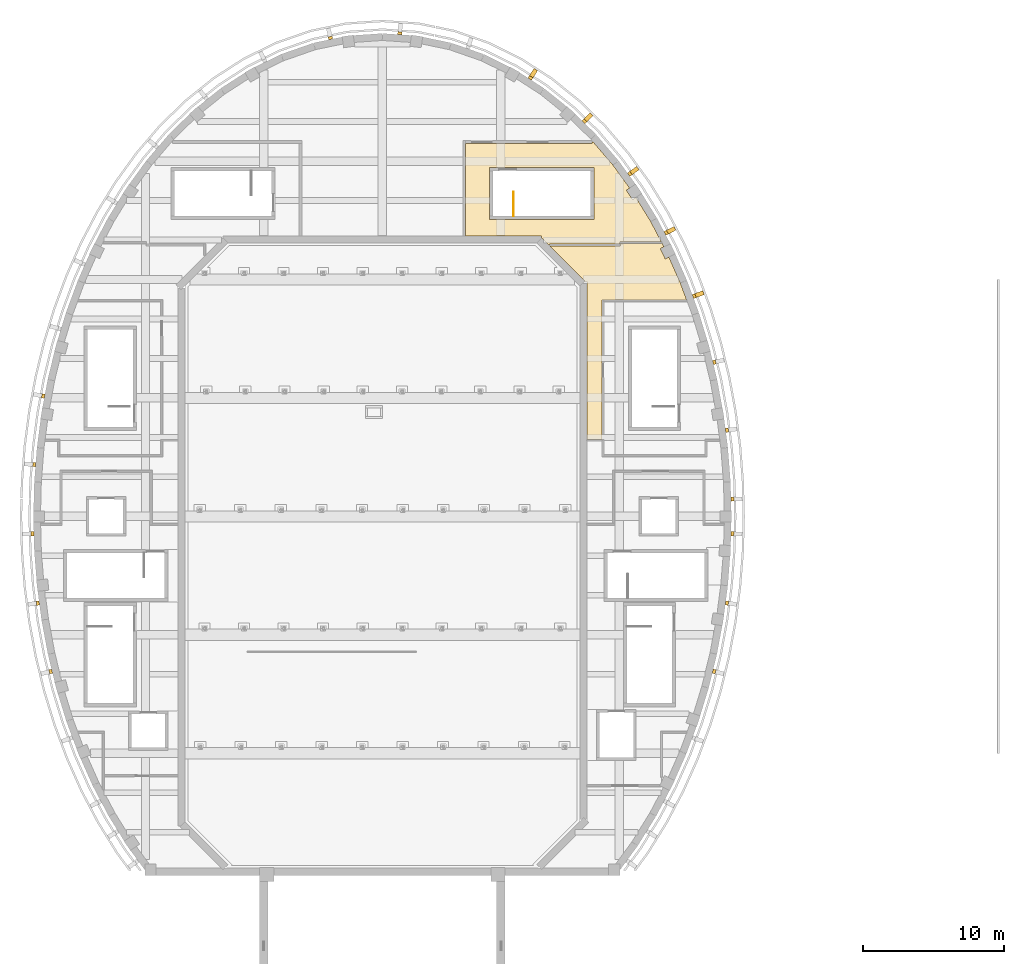
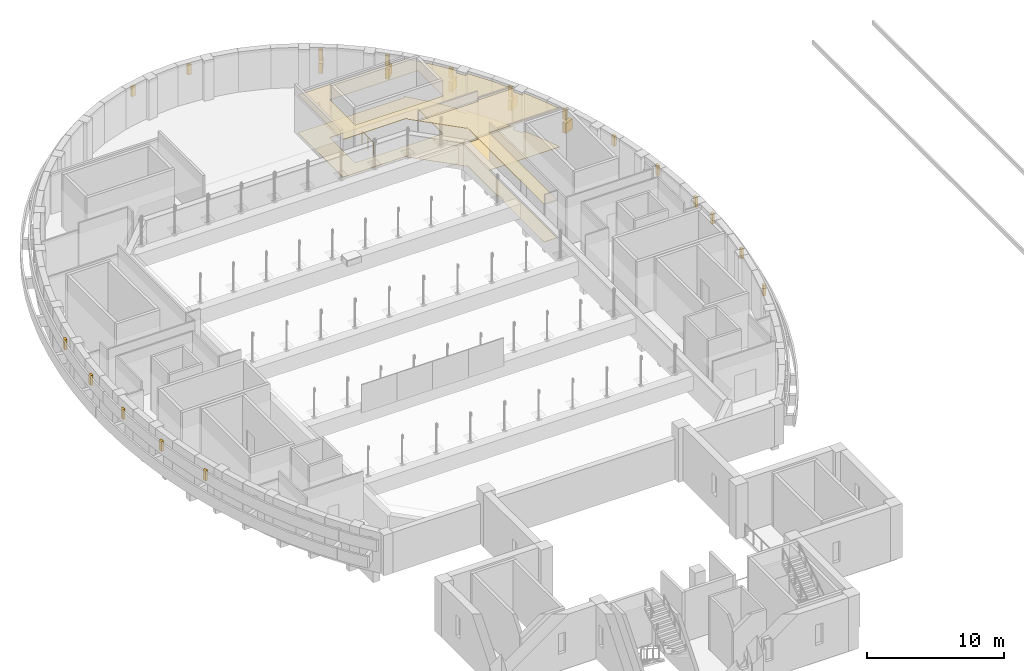
# One storey, part 47 of 47: 27 coverings, 1 railing.
"""IFC4 building model written with IfcOpenShell, lengths in metres."""

from ifc_helpers import new_model, si_unit, direction, frame, origin, origin_2d, place, context, subcontext, project, spatial, polyline, rectangle, circle, outline, extrude, material, layer, layer_set, type_object, element, save


model = new_model("IFC4")

# Units and contexts
model_context = context("Model", 3, precision=1e-05, world=origin(), true_north=direction((0.0, 1.0)))
body_context = subcontext(model_context, "Body", "Model", "MODEL_VIEW")
ifc_project = project(units=[si_unit("LENGTHUNIT", "METRE"), si_unit("AREAUNIT", "SQUARE_METRE"), si_unit("VOLUMEUNIT", "CUBIC_METRE"), si_unit("PLANEANGLEUNIT", "RADIAN"), si_unit("MASSUNIT", "GRAM", prefix="KILO")], contexts=[model_context])

# Site, building, storey
site_placement = place(None, origin())
site = spatial("IfcSite", under=ifc_project, at=site_placement, CompositionType="ELEMENT")
building_placement = place(site_placement, origin())
building = spatial("IfcBuilding", under=site, at=building_placement, Name="Larchfold Concert Hall", CompositionType="ELEMENT")
storey_placement = place(building_placement, frame((0.0, 0.0, 24.0)))
storey = spatial("IfcBuildingStorey", under=building, at=storey_placement, Name="L05", CompositionType="ELEMENT", Elevation=24.0)

# Coverings
ifc_material_1 = material(Name="Plasterboard ceiling lining")
ifc_layer_1 = layer(ifc_material_1, 0.030029296875)
ifc_layer_set_1 = layer_set([ifc_layer_1], Name="Plasterboard ceiling lining")
covering_type_1 = type_object("IfcCoveringType", Name="Ceiling suspended plasterboard 30", PredefinedType="CEILING", material=ifc_layer_set_1)
covering_1_placement = place(storey_placement, frame((0.0, 0.0, 3.3701171875)))
element("IfcCovering", 1, at=covering_1_placement, inside=storey, type_object=covering_type_1, Name="Ceiling Followspot Room", PredefinedType="CEILING", context=body_context, shape_type="SweptSolid", body=[
    extrude(outline(polyline([(57.10009765625, 90.050048828125), (58.18505859375, 90.050048828125), (58.1884765625, 90.000732421875), (58.1884765625, 90.02001953125), (58.250244140625, 90.02001953125), (58.1884765625, 90.02099609375), (58.1884765625, 99.96142578125), (64.171142578125, 99.96142578125), (63.732177734375, 101.149169921875), (62.9169921875, 102.994873046875), (62.658203125, 102.870361328125), (62.3115234375, 103.591552734375), (62.56982421875, 103.715576171875), (62.42138671875, 104.0), (62.39599609375, 104.0), (62.39599609375, 103.9375), (59.46240234375, 103.9375), (59.46240234375, 104.0), (59.400146484375, 104.0), (59.400146484375, 103.91259765625), (59.46240234375, 103.91259765625), (59.46240234375, 103.78759765625), (54.466064453125, 103.78759765625), (56.9541015625, 101.299560546875), (56.92724609375, 101.272705078125), (56.948974609375, 101.251220703125), (57.10009765625, 101.251220703125), (57.10009765625, 90.050048828125)])), origin(), (0.0, 0.0, 1.0), 0.030029296875),
])
covering_2_placement = place(storey_placement, frame((0.0, 0.0, 3.3701171875)))
element("IfcCovering", 2, at=covering_2_placement, inside=storey, type_object=covering_type_1, Name="Ceiling Hall Foyer North East", PredefinedType="CEILING", context=body_context, shape_type="SweptSolid", body=[
    extrude(outline(polyline([(48.5009765625, 111.048828125), (48.5009765625, 104.5), (53.89990234375, 104.5), (53.89990234375, 104.353759765625), (54.40283203125, 103.850830078125), (54.455078125, 103.850830078125), (54.455078125, 103.91259765625), (59.399169921875, 103.91259765625), (59.399169921875, 103.990966796875), (59.408203125, 104.0), (59.46240234375, 104.0), (59.46240234375, 104.0625), (62.388671875, 104.0625), (61.635498046875, 105.50341796875), (60.57958984375, 107.218994140625), (60.342529296875, 107.060791015625), (59.898681640625, 107.726318359375), (60.13525390625, 107.884033203125), (58.953857421875, 109.514892578125), (57.553955078125, 111.149169921875), (57.47900390625, 111.149169921875), (57.47900390625, 111.048828125), (48.5009765625, 111.048828125)]), holes=[polyline([(57.60009765625, 105.64990234375), (50.199951171875, 105.64990234375), (50.199951171875, 109.35009765625), (57.60009765625, 109.35009765625), (57.60009765625, 105.64990234375)])]), origin(), (0.0, 0.0, 1.0), 0.030029296875),
])
ifc_material_2 = material(Name="Polished terrazzo")
ifc_layer_2 = layer(ifc_material_2, 0.0400390625)
ifc_layer_set_2 = layer_set([ifc_layer_2], Name="Polished terrazzo")
covering_type_2 = type_object("IfcCoveringType", Name="Floor finish terrazzo 40", PredefinedType="FLOORING", material=ifc_layer_set_2)
covering_3_placement = place(storey_placement, origin())
element("IfcCovering", 3, at=covering_3_placement, inside=storey, type_object=covering_type_2, Name="Floor finish Hall Foyer North East", PredefinedType="FLOORING", context=body_context, shape_type="SweptSolid", body=[
    extrude(outline(polyline([(48.5009765625, 111.048828125), (48.5009765625, 104.5), (53.89990234375, 104.5), (53.89990234375, 104.353759765625), (54.40283203125, 103.850830078125), (54.455078125, 103.850830078125), (54.455078125, 103.91259765625), (59.399169921875, 103.91259765625), (59.399169921875, 103.990966796875), (59.408203125, 104.0), (59.46240234375, 104.0), (59.46240234375, 104.0625), (62.388671875, 104.0625), (61.635498046875, 105.50341796875), (60.57958984375, 107.218994140625), (60.342529296875, 107.060791015625), (59.898681640625, 107.726318359375), (60.13525390625, 107.884033203125), (58.953857421875, 109.514892578125), (57.553955078125, 111.149169921875), (57.47900390625, 111.149169921875), (57.47900390625, 111.048828125), (48.5009765625, 111.048828125)]), holes=[polyline([(57.60009765625, 105.64990234375), (50.199951171875, 105.64990234375), (50.199951171875, 109.35009765625), (57.60009765625, 109.35009765625), (57.60009765625, 105.64990234375)])]), origin(), (0.0, 0.0, 1.0), 0.0400390625),
])
ifc_material_3 = material(Name="Linoleum sheet")
ifc_layer_3 = layer(ifc_material_3, 0.02001953125)
ifc_layer_set_3 = layer_set([ifc_layer_3], Name="Linoleum sheet")
covering_type_3 = type_object("IfcCoveringType", Name="Floor finish vinyl 20", PredefinedType="FLOORING", material=ifc_layer_set_3)
covering_4_placement = place(storey_placement, origin())
element("IfcCovering", 4, at=covering_4_placement, inside=storey, type_object=covering_type_3, Name="Floor finish Followspot Room", PredefinedType="FLOORING", context=body_context, shape_type="SweptSolid", body=[
    extrude(outline(polyline([(57.10009765625, 90.050048828125), (58.18505859375, 90.050048828125), (58.1884765625, 90.000732421875), (58.1884765625, 90.02001953125), (58.250244140625, 90.02001953125), (58.1884765625, 90.02099609375), (58.1884765625, 99.96142578125), (64.171142578125, 99.96142578125), (63.732177734375, 101.149169921875), (62.9169921875, 102.994873046875), (62.658203125, 102.870361328125), (62.3115234375, 103.591552734375), (62.56982421875, 103.715576171875), (62.42138671875, 104.0), (62.39599609375, 104.0), (62.39599609375, 103.9375), (59.46240234375, 103.9375), (59.46240234375, 104.0), (59.400146484375, 104.0), (59.400146484375, 103.91259765625), (59.46240234375, 103.91259765625), (59.46240234375, 103.78759765625), (54.466064453125, 103.78759765625), (56.9541015625, 101.299560546875), (56.92724609375, 101.272705078125), (56.948974609375, 101.251220703125), (57.10009765625, 101.251220703125), (57.10009765625, 90.050048828125)])), origin(), (0.0, 0.0, 1.0), 0.02001953125),
])
ifc_material_4 = material(Name="Galvanised steel bracket", Category="steel")
ifc_layer_4 = layer(ifc_material_4, 0.300048828125)
ifc_layer_set_4 = layer_set([ifc_layer_4], Name="Galvanised steel bracket")
covering_type_4 = type_object("IfcCoveringType", Name="Ring support bracket", PredefinedType="CLADDING", material=ifc_layer_set_4)
for number, where, z_axis, x_axis, name in (
    (5, (64.99560546875, 100.3271484375, 0.949951171875), (0.0, 0.0, 1.0), (0.938034660892, 0.346541447688, 0.0), "Ring bracket BR-R12-04"),
    (6, (62.9931640625, 104.84912109375, 0.949951171875), (0.0, 0.0, 1.0), (0.88627377699, 0.463161734409, 0.0), "Ring bracket BR-R12-05"),
    (7, (60.390380859375, 109.06591796875, 0.949951171875), (0.0, 0.0, 1.0), (0.809814943436, 0.586685398989, 0.0), "Ring bracket BR-R12-06"),
    (8, (57.151611328125, 112.83349609375, 0.949951171875), (0.0, 0.0, 1.0), (0.69916054139, 0.714964710572, 0.0), "Ring bracket BR-R12-07"),
    (9, (53.261474609375, 115.9501953125, 0.949951171875), (0.0, 0.0, 1.0), (0.541810395078, 0.840500741098, 0.0), "Ring bracket BR-R12-08"),
):
    element("IfcCovering", number, at=place(storey_placement, frame(where, z_axis=z_axis, x_axis=x_axis)), inside=storey, type_object=covering_type_4, Name=name, PredefinedType="CLADDING", context=body_context, shape_type="SweptSolid", body=[
        extrude(rectangle(XDim=0.800048828125, YDim=0.300048828125, at=origin_2d()), origin(), (0.0, 0.0, 1.0), 0.89990234375),
    ])
for number, where, z_axis, x_axis, name in (
    (10, (67.41845703125, 85.82568359375, 2.150146484375), (0.0, 0.0, 1.0), (0.999668605926, 0.025742539211, 0.0), "Ring bracket BR-R13-01"),
    (11, (67.037841796875, 90.7119140625, 2.150146484375), (0.0, 0.0, 1.0), (0.991554174709, 0.129693171048, 0.0), "Ring bracket BR-R13-02"),
    (12, (66.14208984375, 95.531494140625, 2.150146484375), (0.0, 0.0, 1.0), (0.971762851638, 0.235959657944, 0.0), "Ring bracket BR-R13-03"),
    (13, (64.714111328125, 100.22314453125, 2.150146484375), (0.0, 0.0, 1.0), (0.938034660892, 0.346541447688, 0.0), "Ring bracket BR-R13-04"),
    (14, (62.727294921875, 104.710205078125, 2.150146484375), (0.0, 0.0, 1.0), (0.88627377699, 0.463161734409, 0.0), "Ring bracket BR-R13-05"),
    (15, (60.1474609375, 108.889892578125, 2.150146484375), (0.0, 0.0, 1.0), (0.809814943436, 0.586685398989, 0.0), "Ring bracket BR-R13-06"),
    (16, (56.94189453125, 112.619140625, 2.150146484375), (0.0, 0.0, 1.0), (0.69916054139, 0.714964710572, 0.0), "Ring bracket BR-R13-07"),
    (17, (53.098876953125, 115.697998046875, 2.150146484375), (0.0, 0.0, 1.0), (0.541810395078, 0.840500741098, 0.0), "Ring bracket BR-R13-08"),
    (18, (43.83740234375, 118.86572265625, 2.150146484375), (0.0, 0.0, 1.0), (0.068693386901, 0.997637819349, 0.0), "Ring bracket BR-R13-10"),
    (19, (38.911865234375, 118.52880859375, 2.150146484375), (0.0, 0.0, 1.0), (-0.203080334215, 0.979162079461, 0.0), "Ring bracket BR-R13-11"),
    (20, (18.544921875, 93.133544921875, 2.150146484375), (0.0, 0.0, 1.0), (-0.983231690727, 0.182360747833, 0.0), "Ring bracket BR-R13-18"),
    (21, (17.908203125, 88.273681640625, 2.150146484375), (0.0, 0.0, 1.0), (-0.996990162785, 0.077528158171, 0.0), "Ring bracket BR-R13-19"),
    (22, (17.781982421875, 83.366943359375, 2.150146484375), (0.0, 0.0, 1.0), (-0.999665014874, -0.025881615792, 0.0), "Ring bracket BR-R13-20"),
    (23, (18.16748046875, 78.450439453125, 2.150146484375), (0.0, 0.0, 1.0), (-0.991449907596, -0.130487856632, 0.0), "Ring bracket BR-R13-21"),
    (24, (19.07470703125, 73.60205078125, 2.150146484375), (0.0, 0.0, 1.0), (-0.971411707345, -0.237401126438, 0.0), "Ring bracket BR-R13-22"),
    (25, (66.12548828125, 73.60205078125, 2.150146484375), (0.0, 0.0, 1.0), (0.971411707345, -0.237401126438, 0.0), "Ring bracket BR-R13-31"),
    (26, (67.03271484375, 78.450439453125, 2.150146484375), (0.0, 0.0, 1.0), (0.991449907596, -0.130487856632, 0.0), "Ring bracket BR-R13-32"),
    (27, (67.418212890625, 83.366943359375, 2.150146484375), (0.0, 0.0, 1.0), (0.999665014874, -0.025881615792, 0.0), "Ring bracket BR-R13-33"),
):
    element("IfcCovering", number, at=place(storey_placement, frame(where, z_axis=z_axis, x_axis=x_axis)), inside=storey, type_object=covering_type_4, Name=name, PredefinedType="CLADDING", context=body_context, shape_type="SweptSolid", body=[
        extrude(rectangle(XDim=0.199951171875, YDim=0.300048828125, at=origin_2d()), origin(), (0.0, 0.0, 1.0), 0.89990234375),
    ])

# Railing
ifc_material_5 = material(Name="Stainless steel balustrade", Category="steel")
railing_type = type_object("IfcRailingType", Name="Stair guard 1100", PredefinedType="GUARDRAIL", material=ifc_material_5)
railing_placement = place(storey_placement, frame((51.89990234375, 105.89990234375, 0.0)))
element("IfcRailing", 28, at=railing_placement, inside=storey, type_object=railing_type, Name="Guard GR0002", PredefinedType="GUARDRAIL", context=body_context, shape_type="SweptSolid", body=[
    extrude(circle(Radius=0.02392578125, at=origin_2d()), frame((0.0, 0.0, 1.076171875), z_axis=(0.0, 1.0, 0.0), x_axis=(-1.0, 0.0, 0.0)), (0.0, 0.0, 1.0), 1.699951171875),
    extrude(circle(Radius=0.02099609375, at=origin_2d()), origin(), (0.0, 0.0, 1.0), 1.052001953125),
    extrude(circle(Radius=0.02099609375, at=origin_2d()), frame((0.0, 0.85009765625, 0.0)), (0.0, 0.0, 1.0), 1.052001953125),
    extrude(circle(Radius=0.02099609375, at=origin_2d()), frame((0.0, 1.699951171875, 0.0)), (0.0, 0.0, 1.0), 1.052001953125),
])

save(model, "model.ifc")
